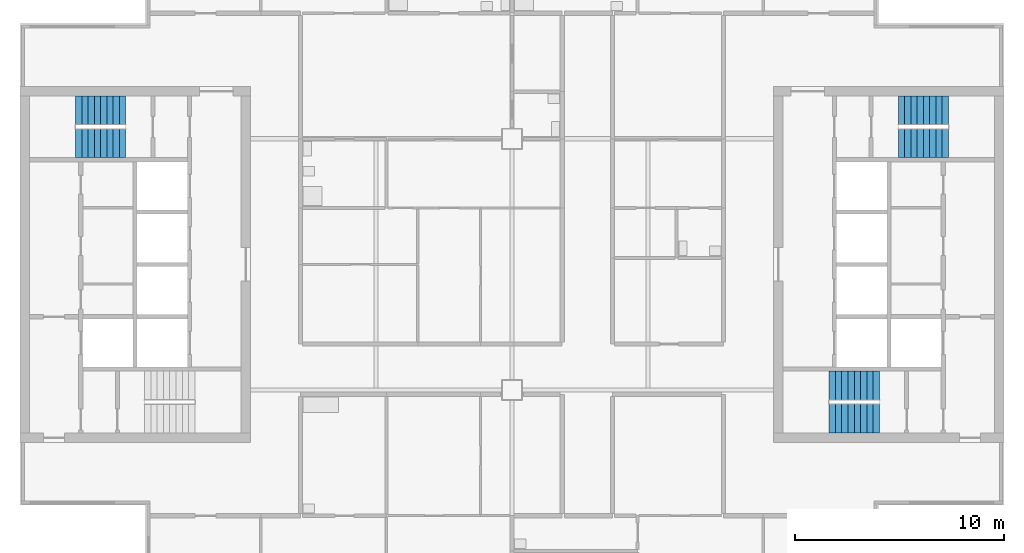
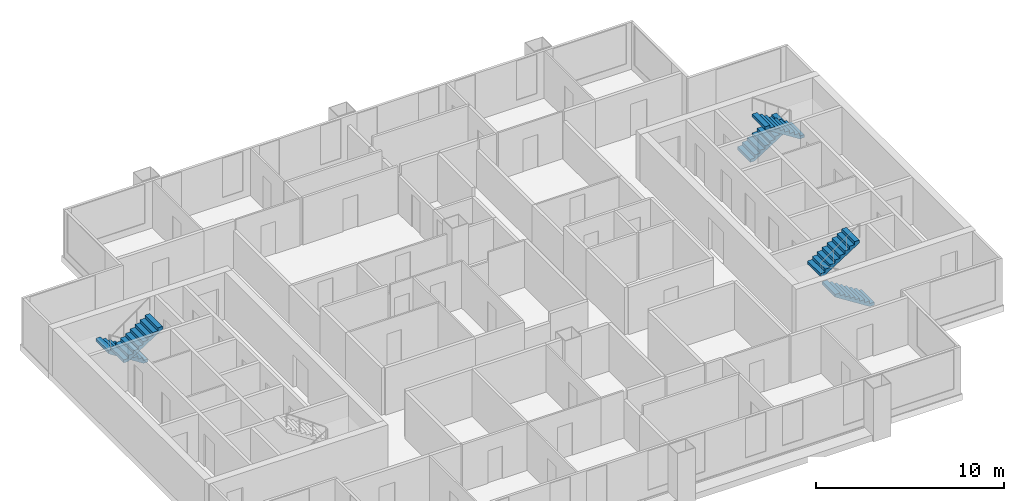
# One storey, part 7 of 9: 6 stair flights, 3 elements without a shape of their own.
"""IFC4 building model written with IfcOpenShell, lengths in metres."""

from ifc_helpers import new_model, si_unit, direction, frame, origin, place, context, subcontext, project, spatial, polyline, outline, extrude, material, type_object, element, aggregate, save


model = new_model("IFC4")

# Units and contexts
model_context = context("Model", 3, precision=1e-05, world=origin(), true_north=direction((0.0, 1.0)))
body_context = subcontext(model_context, "Body", "Model", "MODEL_VIEW")
ifc_project = project(units=[si_unit("LENGTHUNIT", "METRE"), si_unit("AREAUNIT", "SQUARE_METRE"), si_unit("VOLUMEUNIT", "CUBIC_METRE"), si_unit("PLANEANGLEUNIT", "RADIAN"), si_unit("MASSUNIT", "GRAM", prefix="KILO")], contexts=[model_context])

# Site, building, storey
site_placement = place(None, origin())
site = spatial("IfcSite", under=ifc_project, at=site_placement, CompositionType="ELEMENT")
building_placement = place(site_placement, origin())
building = spatial("IfcBuilding", under=site, at=building_placement, Name="Kitamizu Gate Tower and Museum", CompositionType="ELEMENT")
storey_placement = place(building_placement, frame((0.0, 0.0, 221.39990234375)))
storey = spatial("IfcBuildingStorey", under=building, at=storey_placement, Name="L59", CompositionType="ELEMENT", Elevation=221.39990234375)

# Stair, stair flights
ifc_material_1 = material(Name="Concrete Fc42", Category="concrete")
stair_type = type_object("IfcStairType", Name="Exit stair 1375 wide 192 rise 300 going", PredefinedType="HALF_TURN_STAIR", material=ifc_material_1)
stair_1_placement = place(storey_placement, origin())
stair_1 = element("IfcStair", 1, at=stair_1_placement, inside=storey, type_object=stair_type, Name="Exit stair ST2", PredefinedType="HALF_TURN_STAIR")
ifc_material_2 = material(Name="Concrete Fc42", Category="concrete")
stair_flight_type = type_object("IfcStairFlightType", Name="Stair flight 1375 wide 192 rise 300 going", PredefinedType="STRAIGHT", material=ifc_material_2)
stair_flight_1_placement = place(storey_placement, frame((17.550048828125, 37.362548828125, 0.0), z_axis=(0.0, 0.0, 1.0), x_axis=(-1.0, 0.0, 0.0)))
stair_flight_1 = element("IfcStairFlight", 2, at=stair_flight_1_placement, type_object=stair_flight_type, Name="ST2 flight 1", NumberOfRisers=9, NumberOfTreads=8, PredefinedType="STRAIGHT", RiserHeight=0.191666667, TreadLength=0.3, context=body_context, shape_type="SweptSolid", body=[
    extrude(outline(polyline([(0.0, 0.0), (0.0, 0.191650390625), (0.300048828125, 0.191650390625), (0.300048828125, 0.38330078125), (0.60009765625, 0.38330078125), (0.60009765625, 0.574951171875), (0.89990234375, 0.574951171875), (0.89990234375, 0.7666015625), (1.199951171875, 0.7666015625), (1.199951171875, 0.958251953125), (1.5, 0.958251953125), (1.5, 1.14990234375), (1.800048828125, 1.14990234375), (1.800048828125, 1.341552734375), (2.10009765625, 1.341552734375), (2.10009765625, 1.533447265625), (2.39990234375, 1.533447265625), (2.39990234375, 1.72509765625), (2.39990234375, 1.35546875), (0.2783203125, 0.0), (0.0, 0.0)])), frame((0.0, 0.6875, 0.0), z_axis=(0.0, -1.0, 0.0), x_axis=(1.0, 0.0, 0.0)), (0.0, 0.0, 1.0), 1.375),
])
stair_flight_2_placement = place(storey_placement, frame((15.14990234375, 35.78759765625, 1.72509765625), z_axis=(0.0, 0.0, 1.0), x_axis=(1.0, 0.0, 0.0)))
stair_flight_2 = element("IfcStairFlight", 3, at=stair_flight_2_placement, type_object=stair_flight_type, Name="ST2 flight 2", NumberOfRisers=9, NumberOfTreads=8, PredefinedType="STRAIGHT", RiserHeight=0.191666667, TreadLength=0.3, context=body_context, shape_type="SweptSolid", body=[
    extrude(outline(polyline([(0.0, 0.0), (0.0, 0.191650390625), (0.300048828125, 0.191650390625), (0.300048828125, 0.38330078125), (0.60009765625, 0.38330078125), (0.60009765625, 0.574951171875), (0.89990234375, 0.574951171875), (0.89990234375, 0.7666015625), (1.199951171875, 0.7666015625), (1.199951171875, 0.958251953125), (1.5, 0.958251953125), (1.5, 1.14990234375), (1.800048828125, 1.14990234375), (1.800048828125, 1.341552734375), (2.10009765625, 1.341552734375), (2.10009765625, 1.533447265625), (2.39990234375, 1.533447265625), (2.39990234375, 1.72509765625), (2.39990234375, 1.35546875), (0.2783203125, 0.0), (0.0, 0.0)])), frame((0.0, 0.6875, 0.0), z_axis=(0.0, -1.0, 0.0), x_axis=(1.0, 0.0, 0.0)), (0.0, 0.0, 1.0), 1.375),
])
aggregate(stair_1, [stair_flight_1, stair_flight_2])

stair_2_placement = place(storey_placement, origin())
stair_2 = element("IfcStair", 4, at=stair_2_placement, inside=storey, type_object=stair_type, Name="Exit stair ST3", PredefinedType="HALF_TURN_STAIR")
stair_flight_3_placement = place(storey_placement, frame((53.550048828125, 22.637451171875, 0.0), z_axis=(0.0, 0.0, 1.0), x_axis=(-1.0, 0.0, 0.0)))
stair_flight_3 = element("IfcStairFlight", 5, at=stair_flight_3_placement, type_object=stair_flight_type, Name="ST3 flight 1", NumberOfRisers=9, NumberOfTreads=8, PredefinedType="STRAIGHT", RiserHeight=0.191666667, TreadLength=0.3, context=body_context, shape_type="SweptSolid", body=[
    extrude(outline(polyline([(0.0, 0.0), (0.0, 0.191650390625), (0.300048828125, 0.191650390625), (0.300048828125, 0.38330078125), (0.60009765625, 0.38330078125), (0.60009765625, 0.574951171875), (0.89990234375, 0.574951171875), (0.89990234375, 0.7666015625), (1.199951171875, 0.7666015625), (1.199951171875, 0.958251953125), (1.5, 0.958251953125), (1.5, 1.14990234375), (1.800048828125, 1.14990234375), (1.800048828125, 1.341552734375), (2.10009765625, 1.341552734375), (2.10009765625, 1.533447265625), (2.39990234375, 1.533447265625), (2.39990234375, 1.72509765625), (2.39990234375, 1.35546875), (0.2783203125, 0.0), (0.0, 0.0)])), frame((0.0, 0.6875, 0.0), z_axis=(0.0, -1.0, 0.0), x_axis=(1.0, 0.0, 0.0)), (0.0, 0.0, 1.0), 1.375),
])
stair_flight_4_placement = place(storey_placement, frame((51.14990234375, 24.21240234375, 1.72509765625), z_axis=(0.0, 0.0, 1.0), x_axis=(1.0, 0.0, 0.0)))
stair_flight_4 = element("IfcStairFlight", 6, at=stair_flight_4_placement, type_object=stair_flight_type, Name="ST3 flight 2", NumberOfRisers=9, NumberOfTreads=8, PredefinedType="STRAIGHT", RiserHeight=0.191666667, TreadLength=0.3, context=body_context, shape_type="SweptSolid", body=[
    extrude(outline(polyline([(0.0, 0.0), (0.0, 0.191650390625), (0.300048828125, 0.191650390625), (0.300048828125, 0.38330078125), (0.60009765625, 0.38330078125), (0.60009765625, 0.574951171875), (0.89990234375, 0.574951171875), (0.89990234375, 0.7666015625), (1.199951171875, 0.7666015625), (1.199951171875, 0.958251953125), (1.5, 0.958251953125), (1.5, 1.14990234375), (1.800048828125, 1.14990234375), (1.800048828125, 1.341552734375), (2.10009765625, 1.341552734375), (2.10009765625, 1.533447265625), (2.39990234375, 1.533447265625), (2.39990234375, 1.72509765625), (2.39990234375, 1.35546875), (0.2783203125, 0.0), (0.0, 0.0)])), frame((0.0, 0.6875, 0.0), z_axis=(0.0, -1.0, 0.0), x_axis=(1.0, 0.0, 0.0)), (0.0, 0.0, 1.0), 1.375),
])
aggregate(stair_2, [stair_flight_3, stair_flight_4])

stair_3_placement = place(storey_placement, origin())
stair_3 = element("IfcStair", 7, at=stair_3_placement, inside=storey, type_object=stair_type, Name="Exit stair ST4", PredefinedType="HALF_TURN_STAIR")
stair_flight_5_placement = place(storey_placement, frame((54.449951171875, 37.362548828125, 0.0), z_axis=(0.0, 0.0, 1.0), x_axis=(1.0, 0.0, 0.0)))
stair_flight_5 = element("IfcStairFlight", 8, at=stair_flight_5_placement, type_object=stair_flight_type, Name="ST4 flight 1", NumberOfRisers=9, NumberOfTreads=8, PredefinedType="STRAIGHT", RiserHeight=0.191666667, TreadLength=0.3, context=body_context, shape_type="SweptSolid", body=[
    extrude(outline(polyline([(0.0, 0.0), (0.0, 0.191650390625), (0.300048828125, 0.191650390625), (0.300048828125, 0.38330078125), (0.60009765625, 0.38330078125), (0.60009765625, 0.574951171875), (0.89990234375, 0.574951171875), (0.89990234375, 0.7666015625), (1.199951171875, 0.7666015625), (1.199951171875, 0.958251953125), (1.5, 0.958251953125), (1.5, 1.14990234375), (1.800048828125, 1.14990234375), (1.800048828125, 1.341552734375), (2.10009765625, 1.341552734375), (2.10009765625, 1.533447265625), (2.39990234375, 1.533447265625), (2.39990234375, 1.72509765625), (2.39990234375, 1.35546875), (0.2783203125, 0.0), (0.0, 0.0)])), frame((0.0, 0.6875, 0.0), z_axis=(0.0, -1.0, 0.0), x_axis=(1.0, 0.0, 0.0)), (0.0, 0.0, 1.0), 1.375),
])
stair_flight_6_placement = place(storey_placement, frame((56.85009765625, 35.78759765625, 1.72509765625), z_axis=(0.0, 0.0, 1.0), x_axis=(-1.0, 0.0, 0.0)))
stair_flight_6 = element("IfcStairFlight", 9, at=stair_flight_6_placement, type_object=stair_flight_type, Name="ST4 flight 2", NumberOfRisers=9, NumberOfTreads=8, PredefinedType="STRAIGHT", RiserHeight=0.191666667, TreadLength=0.3, context=body_context, shape_type="SweptSolid", body=[
    extrude(outline(polyline([(0.0, 0.0), (0.0, 0.191650390625), (0.300048828125, 0.191650390625), (0.300048828125, 0.38330078125), (0.60009765625, 0.38330078125), (0.60009765625, 0.574951171875), (0.89990234375, 0.574951171875), (0.89990234375, 0.7666015625), (1.199951171875, 0.7666015625), (1.199951171875, 0.958251953125), (1.5, 0.958251953125), (1.5, 1.14990234375), (1.800048828125, 1.14990234375), (1.800048828125, 1.341552734375), (2.10009765625, 1.341552734375), (2.10009765625, 1.533447265625), (2.39990234375, 1.533447265625), (2.39990234375, 1.72509765625), (2.39990234375, 1.35546875), (0.2783203125, 0.0), (0.0, 0.0)])), frame((0.0, 0.6875, 0.0), z_axis=(0.0, -1.0, 0.0), x_axis=(1.0, 0.0, 0.0)), (0.0, 0.0, 1.0), 1.375),
])
aggregate(stair_3, [stair_flight_5, stair_flight_6])

save(model, "model.ifc")
